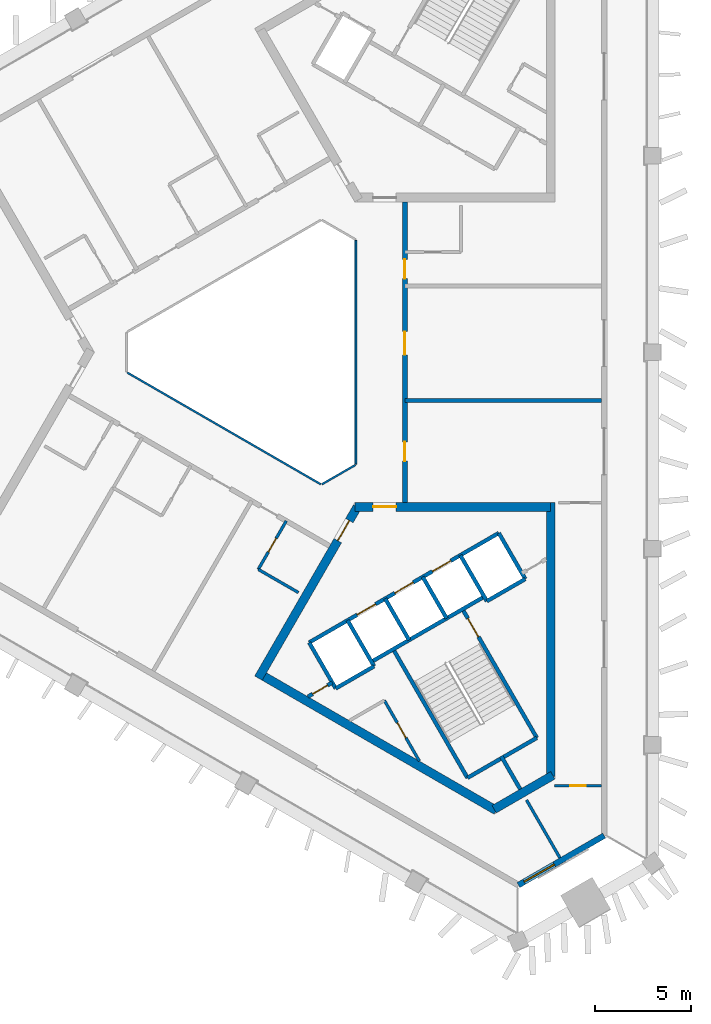
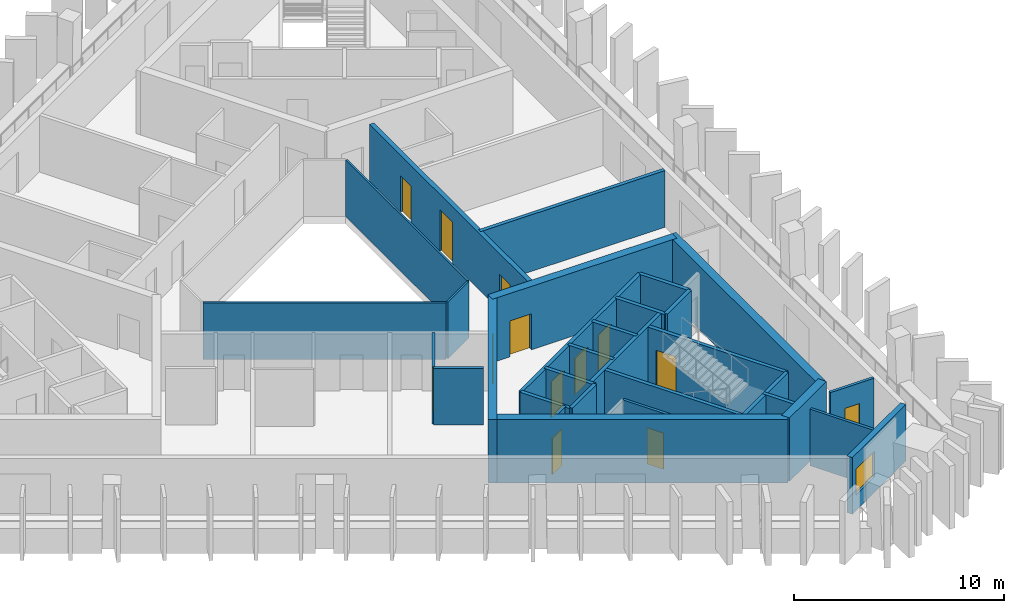
# One storey, part 3 of 9: 31 walls, 13 doors, 1 window, 14 openings.
"""IFC4 building model written with IfcOpenShell, lengths in metres."""

from ifc_helpers import new_model, si_unit, direction, frame, frame_2d, origin, place, context, subcontext, project, spatial, rectangle, extrude, material, layer, layer_set, type_object, element, fill, save


model = new_model("IFC4")

# Units and contexts
model_context = context("Model", 3, precision=1e-05, world=origin(), true_north=direction((0.0, 1.0)))
body_context = subcontext(model_context, "Body", "Model", "MODEL_VIEW")
ifc_project = project(units=[si_unit("LENGTHUNIT", "METRE"), si_unit("AREAUNIT", "SQUARE_METRE"), si_unit("VOLUMEUNIT", "CUBIC_METRE"), si_unit("PLANEANGLEUNIT", "RADIAN"), si_unit("MASSUNIT", "GRAM", prefix="KILO")], contexts=[model_context])

# Site, building, storey
site_placement = place(None, origin())
site = spatial("IfcSite", under=ifc_project, at=site_placement, CompositionType="ELEMENT")
building_placement = place(site_placement, origin())
building = spatial("IfcBuilding", under=site, at=building_placement, Name="Jabali Bay Hotel Tower and Convention Centre", CompositionType="ELEMENT")
storey_placement = place(building_placement, frame((0.0, 0.0, 231.699951171875)))
storey = spatial("IfcBuildingStorey", under=building, at=storey_placement, Name="L57", CompositionType="ELEMENT", Elevation=231.699951171875)

# Walls
ifc_material_1 = material(Name="Fire-resistant glazing", Category="glass")
ifc_layer_1 = layer(ifc_material_1, 0.10009765625)
ifc_layer_set_1 = layer_set([ifc_layer_1], Name="Fire-resistant glazing")
wall_type_1 = type_object("IfcWallType", Name="Atrium glazed screen 100", PredefinedType="PARTITIONING", material=ifc_layer_set_1)
for number, where, z_axis, x_axis, name in (
    (1, (79.56005859375, 74.205810546875, 0.0), (0.0, 0.0, 1.0), (0.0, 1.0, 0.0), "Atrium screen 1 L57"),
    (2, (67.7021484375, 78.947998046875, 0.0), (0.0, 0.0, 1.0), (0.866026658274, -0.499997827154, 0.0), "Atrium screen 5 L57"),
):
    element("IfcWall", number, at=place(storey_placement, frame(where, z_axis=z_axis, x_axis=x_axis)), inside=storey, type_object=wall_type_1, Name=name, PredefinedType="PARTITIONING", context=body_context, shape_type="SweptSolid", body=[
        extrude(rectangle(XDim=11.58837890625, YDim=0.10009765625, at=frame_2d((5.794189453125, 0.0))), origin(), (0.0, 0.0, 1.0), 3.300048828125),
    ])
wall_1_placement = place(storey_placement, frame((77.7978515625, 73.15380859375, 0.0), z_axis=(0.0, 0.0, 1.0), x_axis=(0.866041268327, 0.499972520799, 0.0)))
element("IfcWall", 3, at=wall_1_placement, inside=storey, type_object=wall_type_1, Name="Atrium screen 6 L57", PredefinedType="PARTITIONING", context=body_context, shape_type="SweptSolid", body=[
    extrude(rectangle(XDim=2.0, YDim=0.10009765625, at=frame_2d((1.0, 0.0))), origin(), (0.0, 0.0, 1.0), 3.300048828125),
])
ifc_material_2 = material(Name="Concrete C40", Category="concrete")
ifc_layer_2 = layer(ifc_material_2, 0.199951171875)
ifc_layer_set_2 = layer_set([ifc_layer_2], Name="Concrete C40")
wall_type_2 = type_object("IfcWallType", Name="Core partition wall 200", PredefinedType="PARTITIONING", material=ifc_layer_set_2)
wall_2_placement = place(storey_placement, frame((87.090087890625, 59.0595703125, 0.0), z_axis=(0.0, 0.0, 1.0), x_axis=(0.500011643316, -0.866018681408, 0.0)))
element("IfcWall", 4, at=wall_2_placement, inside=storey, type_object=wall_type_2, Name="Core wall 2.5 L57", PredefinedType="PARTITIONING", context=body_context, shape_type="SweptSolid", body=[
    extrude(rectangle(XDim=1.97314453125, YDim=0.199951171875, at=frame_2d((0.986572265625, 0.0))), origin(), (0.0, 0.0, 1.0), 3.300048828125),
])

# Wall, opening, door
wall_3_placement = place(storey_placement, frame((77.070068359375, 62.142578125, 0.0), z_axis=(0.0, 0.0, 1.0), x_axis=(0.866013036001, 0.500021421018, 0.0)))
wall_3 = element("IfcWall", 5, at=wall_3_placement, inside=storey, type_object=wall_type_2, Name="Core wall 2.11 L57", PredefinedType="PARTITIONING", context=body_context, shape_type="SweptSolid", body=[
    extrude(rectangle(XDim=1.4609375, YDim=0.199951171875, at=frame_2d((0.73046875, 0.0))), origin(), (0.0, 0.0, 1.0), 3.300048828125),
])
opening_1_placement = place(wall_3_placement, frame((0.280517578125, 0.0, 0.0)))
opening_1 = element("IfcOpeningElement", 6, at=opening_1_placement, cuts=wall_3, Name="Opening D1254", PredefinedType="OPENING", context=body_context, shape_type="SweptSolid", body=[
    extrude(rectangle(XDim=0.89990234375, YDim=2.10009765625, at=frame_2d((0.449951171875, 1.050048828125))), frame((0.0, 0.1103515625, 0.0), z_axis=(0.0, -1.0, 0.0), x_axis=(1.0, 0.0, 0.0)), (0.0, 0.0, 1.0), 0.220947265625),
])
ifc_material_3 = material(Name="Fire-rated steel door", Category="steel")
door_type_1 = type_object("IfcDoorType", Name="Vestibule fire door 900 x 2100", OperationType="NOTDEFINED", PredefinedType="NOTDEFINED", material=ifc_material_3)
door_1_placement = place(opening_1_placement, origin())
door_1 = element("IfcDoor", 7, at=door_1_placement, inside=storey, type_object=door_type_1, Name="Vestibule fire door D1254", OperationType="SINGLE_SWING_LEFT", OverallHeight=2.10009765625, OverallWidth=0.89990234375, PredefinedType="NOTDEFINED", context=body_context, shape_type="SweptSolid", body=[
    extrude(rectangle(XDim=0.89990234375, YDim=2.10009765625, at=frame_2d((0.449951171875, 1.050048828125))), frame((0.0, 0.02490234375, 0.0), z_axis=(0.0, -1.0, 0.0), x_axis=(1.0, 0.0, 0.0)), (0.0, 0.0, 1.0), 0.050048828125),
])
fill(opening_1, door_1)

ifc_material_4 = material(Name="Fire-rated board partition")
ifc_layer_3 = layer(ifc_material_4, 0.14990234375)
ifc_layer_set_3 = layer_set([ifc_layer_3], Name="Fire-rated board partition")
wall_type_3 = type_object("IfcWallType", Name="Core room partition 150", PredefinedType="PARTITIONING", material=ifc_layer_set_3)
wall_4_placement = place(storey_placement, frame((81.0341796875, 61.94873046875, 0.0), z_axis=(0.0, 0.0, 1.0), x_axis=(0.499945732631, -0.866056732798, 0.0)))
wall_4 = element("IfcWall", 8, at=wall_4_placement, inside=storey, type_object=wall_type_3, Name="Core wall 2.1 L57", PredefinedType="PARTITIONING", context=body_context, shape_type="SweptSolid", body=[
    extrude(rectangle(XDim=3.62841796875, YDim=0.14990234375, at=frame_2d((1.814208984375, 0.0))), origin(), (0.0, 0.0, 1.0), 3.300048828125),
])
opening_2_placement = place(wall_4_placement, frame((1.336669921875, 0.0, 0.0)))
opening_2 = element("IfcOpeningElement", 9, at=opening_2_placement, cuts=wall_4, Name="Opening D1256", PredefinedType="OPENING", context=body_context, shape_type="SweptSolid", body=[
    extrude(rectangle(XDim=0.89990234375, YDim=2.10009765625, at=frame_2d((0.449951171875, 1.050048828125))), frame((0.0, 0.08544921875, 0.0), z_axis=(0.0, -1.0, 0.0), x_axis=(1.0, 0.0, 0.0)), (0.0, 0.0, 1.0), 0.1708984375),
])
door_type_2 = type_object("IfcDoorType", Name="Core room door 900 x 2100", OperationType="NOTDEFINED", PredefinedType="NOTDEFINED", material=ifc_material_3)
door_2_placement = place(opening_2_placement, origin())
door_2 = element("IfcDoor", 10, at=door_2_placement, inside=storey, type_object=door_type_2, Name="Core room door D1256", OperationType="SINGLE_SWING_LEFT", OverallHeight=2.10009765625, OverallWidth=0.89990234375, PredefinedType="NOTDEFINED", context=body_context, shape_type="SweptSolid", body=[
    extrude(rectangle(XDim=0.89990234375, YDim=2.10009765625, at=frame_2d((0.449951171875, 1.050048828125))), frame((0.0, 0.02490234375, 0.0), z_axis=(0.0, -1.0, 0.0), x_axis=(1.0, 0.0, 0.0)), (0.0, 0.0, 1.0), 0.050048828125),
])
fill(opening_2, door_2)

# Walls
ifc_layer_4 = layer(ifc_material_2, 0.199951171875)
ifc_layer_set_4 = layer_set([ifc_layer_4], Name="Concrete C40")
wall_type_4 = type_object("IfcWallType", Name="Core stair wall 200", PredefinedType="SOLIDWALL", material=ifc_layer_set_4)
for number, where, z_axis, x_axis, name in (
    (11, (77.13525390625, 64.95166015625, 0.0), (0.0, 0.0, 1.0), (0.499996545922, -0.866027397988, 0.0), "Core wall 2.0 L57"),
    (12, (79.127197265625, 66.1015625, 0.0), (0.0, 0.0, 1.0), (0.499996545922, -0.866027397988, 0.0), "Core wall 2.2 L57"),
):
    element("IfcWall", number, at=place(storey_placement, frame(where, z_axis=z_axis, x_axis=x_axis)), inside=storey, type_object=wall_type_4, Name=name, PredefinedType="SOLIDWALL", context=body_context, shape_type="SweptSolid", body=[
        extrude(rectangle(XDim=2.75, YDim=0.199951171875, at=frame_2d((1.375, 0.0))), origin(), (0.0, 0.0, 1.0), 3.300048828125),
    ])
wall_5_placement = place(storey_placement, frame((81.492919921875, 64.603759765625, 0.0), z_axis=(0.0, 0.0, 1.0), x_axis=(0.500006057782, -0.866021906294, 0.0)))
element("IfcWall", 13, at=wall_5_placement, inside=storey, type_object=wall_type_4, Name="Core wall 2.3 L57", PredefinedType="SOLIDWALL", context=body_context, shape_type="SweptSolid", body=[
    extrude(rectangle(XDim=7.7001953125, YDim=0.199951171875, at=frame_2d((3.85009765625, 0.0))), origin(), (0.0, 0.0, 1.0), 3.300048828125),
])
for number, where, z_axis, x_axis, name in (
    (14, (81.07568359375, 67.2265625, 0.0), (0.0, 0.0, 1.0), (0.50000366821, -0.866023285932, 0.0), "Core wall 2.4 L57"),
    (15, (83.024169921875, 68.3515625, 0.0), (0.0, 0.0, 1.0), (0.50000366821, -0.866023285932, 0.0), "Core wall 2.6 L57"),
):
    element("IfcWall", number, at=place(storey_placement, frame(where, z_axis=z_axis, x_axis=x_axis)), inside=storey, type_object=wall_type_4, Name=name, PredefinedType="SOLIDWALL", context=body_context, shape_type="SweptSolid", body=[
        extrude(rectangle(XDim=2.47998046875, YDim=0.199951171875, at=frame_2d((1.239990234375, 0.0))), origin(), (0.0, 0.0, 1.0), 3.300048828125),
    ])

# Wall, opening, door
wall_6_placement = place(storey_placement, frame((85.0869140625, 66.6787109375, 0.0), z_axis=(0.0, 0.0, 1.0), x_axis=(0.500019787375, -0.866013979237, 0.0)))
wall_6 = element("IfcWall", 16, at=wall_6_placement, inside=storey, type_object=wall_type_4, Name="Core wall 2.7 L57", PredefinedType="SOLIDWALL", context=body_context, shape_type="SweptSolid", body=[
    extrude(rectangle(XDim=7.699951171875, YDim=0.199951171875, at=frame_2d((3.85009765625, 0.0))), origin(), (0.0, 0.0, 1.0), 3.300048828125),
])
opening_3_placement = place(wall_6_placement, frame((0.550048828125, 0.0, 0.0)))
opening_3 = element("IfcOpeningElement", 17, at=opening_3_placement, cuts=wall_6, Name="Opening D1255", PredefinedType="OPENING", context=body_context, shape_type="SweptSolid", body=[
    extrude(rectangle(XDim=1.10009765625, YDim=2.10009765625, at=frame_2d((0.550048828125, 1.050048828125))), frame((0.0, 0.1103515625, 0.0), z_axis=(0.0, -1.0, 0.0), x_axis=(1.0, 0.0, 0.0)), (0.0, 0.0, 1.0), 0.220947265625),
])
door_type_3 = type_object("IfcDoorType", Name="Stair fire door 1100 x 2100", OperationType="NOTDEFINED", PredefinedType="NOTDEFINED", material=ifc_material_3)
door_3_placement = place(opening_3_placement, origin())
door_3 = element("IfcDoor", 18, at=door_3_placement, inside=storey, type_object=door_type_3, Name="Stair fire door D1255", OperationType="SINGLE_SWING_RIGHT", OverallHeight=2.10009765625, OverallWidth=1.10009765625, PredefinedType="NOTDEFINED", context=body_context, shape_type="SweptSolid", body=[
    extrude(rectangle(XDim=1.10009765625, YDim=2.10009765625, at=frame_2d((0.550048828125, 1.050048828125))), frame((0.0, 0.02490234375, 0.0), z_axis=(0.0, -1.0, 0.0), x_axis=(1.0, 0.0, 0.0)), (0.0, 0.0, 1.0), 0.050048828125),
])
fill(opening_3, door_3)

# Walls
for number, where, z_axis, x_axis, name in (
    (19, (84.972900390625, 69.4765625, 0.0), (0.0, 0.0, 1.0), (0.499996545922, -0.866027397988, 0.0), "Core wall 2.8 L57"),
    (20, (86.964599609375, 70.62646484375, 0.0), (0.0, 0.0, 1.0), (0.499996545922, -0.866027397988, 0.0), "Core wall 2.9 L57"),
):
    element("IfcWall", number, at=place(storey_placement, frame(where, z_axis=z_axis, x_axis=x_axis)), inside=storey, type_object=wall_type_4, Name=name, PredefinedType="SOLIDWALL", context=body_context, shape_type="SweptSolid", body=[
        extrude(rectangle(XDim=2.75, YDim=0.199951171875, at=frame_2d((1.375, 0.0))), origin(), (0.0, 0.0, 1.0), 3.300048828125),
    ])

# Wall, openings, doors
wall_7_placement = place(storey_placement, frame((77.13525390625, 64.95166015625, 0.0), z_axis=(0.0, 0.0, 1.0), x_axis=(0.866031916153, 0.499988720078, 0.0)))
wall_7 = element("IfcWall", 21, at=wall_7_placement, inside=storey, type_object=wall_type_4, Name="Core wall 2.10 L57", PredefinedType="SOLIDWALL", context=body_context, shape_type="SweptSolid", body=[
    extrude(rectangle(XDim=11.349853515625, YDim=0.199951171875, at=frame_2d((5.6748046875, 0.0))), origin(), (0.0, 0.0, 1.0), 3.300048828125),
])
opening_4_placement = place(wall_7_placement, frame((2.875, 0.0, 0.0)))
opening_4 = element("IfcOpeningElement", 22, at=opening_4_placement, cuts=wall_7, Name="Opening LD12-L57", PredefinedType="OPENING", context=body_context, shape_type="SweptSolid", body=[
    extrude(rectangle(XDim=1.10009765625, YDim=2.10009765625, at=frame_2d((0.550048828125, 1.050048828125))), frame((0.0, 0.1103515625, 0.0), z_axis=(0.0, -1.0, 0.0), x_axis=(1.0, 0.0, 0.0)), (0.0, 0.0, 1.0), 0.220947265625),
])
opening_5_placement = place(wall_7_placement, frame((5.125, 0.0, 0.0)))
opening_5 = element("IfcOpeningElement", 23, at=opening_5_placement, cuts=wall_7, Name="Opening LD13-L57", PredefinedType="OPENING", context=body_context, shape_type="SweptSolid", body=[
    extrude(rectangle(XDim=1.10009765625, YDim=2.10009765625, at=frame_2d((0.550048828125, 1.050048828125))), frame((0.0, 0.1103515625, 0.0), z_axis=(0.0, -1.0, 0.0), x_axis=(1.0, 0.0, 0.0)), (0.0, 0.0, 1.0), 0.220947265625),
])
opening_6_placement = place(wall_7_placement, frame((7.375, 0.0, 0.0)))
opening_6 = element("IfcOpeningElement", 24, at=opening_6_placement, cuts=wall_7, Name="Opening LD14-L57", PredefinedType="OPENING", context=body_context, shape_type="SweptSolid", body=[
    extrude(rectangle(XDim=1.10009765625, YDim=2.10009765625, at=frame_2d((0.550048828125, 1.050048828125))), frame((0.0, 0.1103515625, 0.0), z_axis=(0.0, -1.0, 0.0), x_axis=(1.0, 0.0, 0.0)), (0.0, 0.0, 1.0), 0.220947265625),
])
ifc_material_5 = material(Name="Stainless steel landing door", Category="steel")
door_type_4 = type_object("IfcDoorType", Name="Landing door 1100 x 2100", OperationType="NOTDEFINED", PredefinedType="NOTDEFINED", material=ifc_material_5)
door_4_placement = place(opening_4_placement, origin())
door_4 = element("IfcDoor", 25, at=door_4_placement, inside=storey, type_object=door_type_4, Name="Landing doors LD12-L57", OperationType="SLIDING_TO_LEFT", OverallHeight=2.10009765625, OverallWidth=1.10009765625, PredefinedType="NOTDEFINED", context=body_context, shape_type="SweptSolid", body=[
    extrude(rectangle(XDim=1.10009765625, YDim=2.10009765625, at=frame_2d((0.550048828125, 1.050048828125))), frame((0.0, 0.02490234375, 0.0), z_axis=(0.0, -1.0, 0.0), x_axis=(1.0, 0.0, 0.0)), (0.0, 0.0, 1.0), 0.050048828125),
])
fill(opening_4, door_4)
door_5_placement = place(opening_5_placement, origin())
door_5 = element("IfcDoor", 26, at=door_5_placement, inside=storey, type_object=door_type_4, Name="Landing doors LD13-L57", OperationType="SLIDING_TO_RIGHT", OverallHeight=2.10009765625, OverallWidth=1.10009765625, PredefinedType="NOTDEFINED", context=body_context, shape_type="SweptSolid", body=[
    extrude(rectangle(XDim=1.10009765625, YDim=2.10009765625, at=frame_2d((0.550048828125, 1.050048828125))), frame((0.0, 0.02490234375, 0.0), z_axis=(0.0, -1.0, 0.0), x_axis=(1.0, 0.0, 0.0)), (0.0, 0.0, 1.0), 0.050048828125),
])
fill(opening_5, door_5)
door_6_placement = place(opening_6_placement, origin())
door_6 = element("IfcDoor", 27, at=door_6_placement, inside=storey, type_object=door_type_4, Name="Landing doors LD14-L57", OperationType="SLIDING_TO_LEFT", OverallHeight=2.10009765625, OverallWidth=1.10009765625, PredefinedType="NOTDEFINED", context=body_context, shape_type="SweptSolid", body=[
    extrude(rectangle(XDim=1.10009765625, YDim=2.10009765625, at=frame_2d((0.550048828125, 1.050048828125))), frame((0.0, 0.02490234375, 0.0), z_axis=(0.0, -1.0, 0.0), x_axis=(1.0, 0.0, 0.0)), (0.0, 0.0, 1.0), 0.050048828125),
])
fill(opening_6, door_6)

# Walls
wall_8_placement = place(storey_placement, frame((80.3671875, 63.953857421875, 0.0), z_axis=(0.0, 0.0, 1.0), x_axis=(0.866026575979, 0.499997969693, 0.0)))
element("IfcWall", 28, at=wall_8_placement, inside=storey, type_object=wall_type_4, Name="Core wall 2.13 L57", PredefinedType="SOLIDWALL", context=body_context, shape_type="SweptSolid", body=[
    extrude(rectangle(XDim=6.75, YDim=0.199951171875, at=frame_2d((3.375, 0.0))), origin(), (0.0, 0.0, 1.0), 3.300048828125),
])
wall_9_placement = place(storey_placement, frame((78.51025390625, 62.570068359375, 0.0), z_axis=(0.0, 0.0, 1.0), x_axis=(0.866053019151, 0.499952165731, 0.0)))
element("IfcWall", 29, at=wall_9_placement, inside=storey, type_object=wall_type_4, Name="Core wall 2.14 L57", PredefinedType="SOLIDWALL", context=body_context, shape_type="SweptSolid", body=[
    extrude(rectangle(XDim=2.300048828125, YDim=0.199951171875, at=frame_2d((1.14990234375, 0.0))), origin(), (0.0, 0.0, 1.0), 3.300048828125),
])
wall_10_placement = place(storey_placement, frame((86.347900390625, 67.094970703125, 0.0), z_axis=(0.0, 0.0, 1.0), x_axis=(0.86602648383, 0.499998129301, 0.0)))
element("IfcWall", 30, at=wall_10_placement, inside=storey, type_object=wall_type_4, Name="Core wall 2.15 L57", PredefinedType="SOLIDWALL", context=body_context, shape_type="SweptSolid", body=[
    extrude(rectangle(XDim=2.2998046875, YDim=0.199951171875, at=frame_2d((1.14990234375, 0.0))), origin(), (0.0, 0.0, 1.0), 3.300048828125),
])
wall_11_placement = place(storey_placement, frame((85.343017578125, 57.935302734375, 0.0), z_axis=(0.0, 0.0, 1.0), x_axis=(0.866004344652, 0.500036473714, 0.0)))
element("IfcWall", 31, at=wall_11_placement, inside=storey, type_object=wall_type_4, Name="Core wall 2.17 L57", PredefinedType="SOLIDWALL", context=body_context, shape_type="SweptSolid", body=[
    extrude(rectangle(XDim=4.150146484375, YDim=0.199951171875, at=frame_2d((2.0751953125, 0.0))), origin(), (0.0, 0.0, 1.0), 3.300048828125),
])

# Wall, opening, door
ifc_material_6 = material(Name="Concrete C60", Category="concrete")
ifc_layer_5 = layer(ifc_material_6, 0.449951171875)
ifc_layer_set_5 = layer_set([ifc_layer_5], Name="Concrete C60")
wall_type_5 = type_object("IfcWallType", Name="Core wall 450", PredefinedType="SHEAR", material=ifc_layer_set_5)
wall_12_placement = place(storey_placement, frame((79.6298828125, 71.980712890625, 0.0), z_axis=(0.0, 0.0, 1.0), x_axis=(-0.500002171595, -0.86602415001, 0.0)))
wall_12 = element("IfcWall", 32, at=wall_12_placement, inside=storey, type_object=wall_type_5, Name="Core wall 3.1 L57", PredefinedType="SHEAR", context=body_context, shape_type="SweptSolid", body=[
    extrude(rectangle(XDim=10.25, YDim=0.449951171875, at=frame_2d((5.125, 0.0))), origin(), (0.0, 0.0, 1.0), 3.699951171875),
])
opening_7_placement = place(wall_12_placement, frame((0.820068359375, 0.0, 0.0)))
opening_7 = element("IfcOpeningElement", 33, at=opening_7_placement, cuts=wall_12, Name="Opening D1251", PredefinedType="OPENING", context=body_context, shape_type="SweptSolid", body=[
    extrude(rectangle(XDim=1.199951171875, YDim=2.10009765625, at=frame_2d((0.60009765625, 1.050048828125))), frame((0.0, 0.2353515625, 0.0), z_axis=(0.0, -1.0, 0.0), x_axis=(1.0, 0.0, 0.0)), (0.0, 0.0, 1.0), 0.470947265625),
])
door_type_5 = type_object("IfcDoorType", Name="Corridor end fire door 1200 x 2100", OperationType="NOTDEFINED", PredefinedType="NOTDEFINED", material=ifc_material_3)
door_7_placement = place(opening_7_placement, origin())
door_7 = element("IfcDoor", 34, at=door_7_placement, inside=storey, type_object=door_type_5, Name="Corridor end fire door D1251", OperationType="SINGLE_SWING_RIGHT", OverallHeight=2.10009765625, OverallWidth=1.199951171875, PredefinedType="NOTDEFINED", context=body_context, shape_type="SweptSolid", body=[
    extrude(rectangle(XDim=1.199951171875, YDim=2.10009765625, at=frame_2d((0.60009765625, 1.050048828125))), frame((0.0, 0.02490234375, 0.0), z_axis=(0.0, -1.0, 0.0), x_axis=(1.0, 0.0, 0.0)), (0.0, 0.0, 1.0), 0.050048828125),
])
fill(opening_7, door_7)

# Walls
wall_13_placement = place(storey_placement, frame((74.617431640625, 63.298828125, 0.0), z_axis=(0.0, 0.0, 1.0), x_axis=(0.86602594008, -0.499999071108, 0.0)))
element("IfcWall", 35, at=wall_13_placement, inside=storey, type_object=wall_type_5, Name="Core wall 3.2 L57", PredefinedType="SHEAR", context=body_context, shape_type="SweptSolid", body=[
    extrude(rectangle(XDim=14.1083984375, YDim=0.449951171875, at=frame_2d((7.05419921875, 0.0))), origin(), (0.0, 0.0, 1.0), 3.699951171875),
])
wall_14_placement = place(storey_placement, frame((86.72314453125, 56.3095703125, 0.0), z_axis=(0.0, 0.0, 1.0), x_axis=(0.866042179588, 0.49997094233, 0.0)))
element("IfcWall", 36, at=wall_14_placement, inside=storey, type_object=wall_type_5, Name="Core wall 3.3 L57", PredefinedType="SHEAR", context=body_context, shape_type="SweptSolid", body=[
    extrude(rectangle(XDim=3.515380859375, YDim=0.449951171875, at=frame_2d((1.7578125, 0.0))), origin(), (0.0, 0.0, 1.0), 3.699951171875),
])
wall_15_placement = place(storey_placement, frame((89.655029296875, 58.002197265625, 0.0), z_axis=(0.0, 0.0, 1.0), x_axis=(0.0, 1.0, 0.0)))
element("IfcWall", 37, at=wall_15_placement, inside=storey, type_object=wall_type_5, Name="Core wall 3.4 L57", PredefinedType="SHEAR", context=body_context, shape_type="SweptSolid", body=[
    extrude(rectangle(XDim=14.20361328125, YDim=0.449951171875, at=frame_2d((7.101806640625, 0.0))), origin(), (0.0, 0.0, 1.0), 3.699951171875),
])

# Wall, opening, door
wall_16_placement = place(storey_placement, frame((89.655029296875, 71.980712890625, 0.0), z_axis=(0.0, 0.0, 1.0), x_axis=(-1.0, 0.0, 0.0)))
wall_16 = element("IfcWall", 38, at=wall_16_placement, inside=storey, type_object=wall_type_5, Name="Core wall 3.5 L57", PredefinedType="SHEAR", context=body_context, shape_type="SweptSolid", body=[
    extrude(rectangle(XDim=10.155029296875, YDim=0.449951171875, at=frame_2d((5.07763671875, 0.0))), origin(), (0.0, 0.0, 1.0), 3.699951171875),
])
opening_8_placement = place(wall_16_placement, frame((8.0048828125, 0.0, 0.0)))
opening_8 = element("IfcOpeningElement", 39, at=opening_8_placement, cuts=wall_16, Name="Opening D1252", PredefinedType="OPENING", context=body_context, shape_type="SweptSolid", body=[
    extrude(rectangle(XDim=1.199951171875, YDim=2.10009765625, at=frame_2d((0.60009765625, 1.050048828125))), frame((0.0, 0.2353515625, 0.0), z_axis=(0.0, -1.0, 0.0), x_axis=(1.0, 0.0, 0.0)), (0.0, 0.0, 1.0), 0.470947265625),
])
door_8_placement = place(opening_8_placement, origin())
door_8 = element("IfcDoor", 40, at=door_8_placement, inside=storey, type_object=door_type_5, Name="Corridor end fire door D1252", OperationType="SINGLE_SWING_LEFT", OverallHeight=2.10009765625, OverallWidth=1.199951171875, PredefinedType="NOTDEFINED", context=body_context, shape_type="SweptSolid", body=[
    extrude(rectangle(XDim=1.199951171875, YDim=2.10009765625, at=frame_2d((0.60009765625, 1.050048828125))), frame((0.0, 0.02490234375, 0.0), z_axis=(0.0, -1.0, 0.0), x_axis=(1.0, 0.0, 0.0)), (0.0, 0.0, 1.0), 0.050048828125),
])
fill(opening_8, door_8)

# Wall, openings, doors
ifc_layer_6 = layer(ifc_material_6, 0.25)
ifc_layer_set_6 = layer_set([ifc_layer_6], Name="Concrete C60")
wall_type_6 = type_object("IfcWallType", Name="Corridor wall 250", PredefinedType="SHEAR", material=ifc_layer_set_6)
wall_17_placement = place(storey_placement, frame((82.10009765625, 72.205810546875, 0.0), z_axis=(0.0, 0.0, 1.0), x_axis=(0.0, 1.0, 0.0)))
wall_17 = element("IfcWall", 41, at=wall_17_placement, inside=storey, type_object=wall_type_6, Name="Corridor wall 1 L57", PredefinedType="SHEAR", context=body_context, shape_type="SweptSolid", body=[
    extrude(rectangle(XDim=15.58837890625, YDim=0.25, at=frame_2d((7.794189453125, 0.0))), origin(), (0.0, 0.0, 1.0), 3.300048828125),
])
opening_9_placement = place(wall_17_placement, frame((2.14990234375, 0.0, 0.0)))
opening_9 = element("IfcOpeningElement", 42, at=opening_9_placement, cuts=wall_17, Name="Opening 5701", PredefinedType="OPENING", context=body_context, shape_type="SweptSolid", body=[
    extrude(rectangle(XDim=1.0, YDim=2.10009765625, at=frame_2d((0.5, 1.050048828125))), frame((0.0, 0.135498046875, 0.0), z_axis=(0.0, -1.0, 0.0), x_axis=(1.0, 0.0, 0.0)), (0.0, 0.0, 1.0), 0.27099609375),
])
opening_10_placement = place(wall_17_placement, frame((7.661865234375, 0.0, 0.0)))
opening_10 = element("IfcOpeningElement", 43, at=opening_10_placement, cuts=wall_17, Name="Opening 5704", PredefinedType="OPENING", context=body_context, shape_type="SweptSolid", body=[
    extrude(rectangle(XDim=1.199951171875, YDim=2.39990234375, at=frame_2d((0.60009765625, 1.199951171875))), frame((0.0, 0.135498046875, 0.0), z_axis=(0.0, -1.0, 0.0), x_axis=(1.0, 0.0, 0.0)), (0.0, 0.0, 1.0), 0.27099609375),
])
opening_11_placement = place(wall_17_placement, frame((11.606201171875, 0.0, 0.0)))
opening_11 = element("IfcOpeningElement", 44, at=opening_11_placement, cuts=wall_17, Name="Opening 5706", PredefinedType="OPENING", context=body_context, shape_type="SweptSolid", body=[
    extrude(rectangle(XDim=1.0, YDim=2.10009765625, at=frame_2d((0.5, 1.050048828125))), frame((0.0, 0.135498046875, 0.0), z_axis=(0.0, -1.0, 0.0), x_axis=(1.0, 0.0, 0.0)), (0.0, 0.0, 1.0), 0.27099609375),
])
ifc_material_7 = material(Name="Timber", Category="wood")
door_type_6 = type_object("IfcDoorType", Name="Guest room door 1000 x 2100", OperationType="NOTDEFINED", PredefinedType="NOTDEFINED", material=ifc_material_7)
door_9_placement = place(opening_9_placement, origin())
door_9 = element("IfcDoor", 45, at=door_9_placement, inside=storey, type_object=door_type_6, Name="Door 5701", OperationType="SINGLE_SWING_LEFT", OverallHeight=2.10009765625, OverallWidth=1.0, PredefinedType="NOTDEFINED", context=body_context, shape_type="SweptSolid", body=[
    extrude(rectangle(XDim=1.0, YDim=2.10009765625, at=frame_2d((0.5, 1.050048828125))), frame((0.0, 0.02490234375, 0.0), z_axis=(0.0, -1.0, 0.0), x_axis=(1.0, 0.0, 0.0)), (0.0, 0.0, 1.0), 0.050048828125),
])
fill(opening_9, door_9)
door_10_placement = place(opening_11_placement, origin())
door_10 = element("IfcDoor", 46, at=door_10_placement, inside=storey, type_object=door_type_6, Name="Door 5706", OperationType="SINGLE_SWING_RIGHT", OverallHeight=2.10009765625, OverallWidth=1.0, PredefinedType="NOTDEFINED", context=body_context, shape_type="SweptSolid", body=[
    extrude(rectangle(XDim=1.0, YDim=2.10009765625, at=frame_2d((0.5, 1.050048828125))), frame((0.0, 0.02490234375, 0.0), z_axis=(0.0, -1.0, 0.0), x_axis=(1.0, 0.0, 0.0)), (0.0, 0.0, 1.0), 0.050048828125),
])
fill(opening_11, door_10)
door_type_7 = type_object("IfcDoorType", Name="Public room door 1200 x 2400", OperationType="NOTDEFINED", PredefinedType="NOTDEFINED", material=ifc_material_7)
door_11_placement = place(opening_10_placement, origin())
door_11 = element("IfcDoor", 47, at=door_11_placement, inside=storey, type_object=door_type_7, Name="Door 5704", OperationType="SINGLE_SWING_RIGHT", OverallHeight=2.39990234375, OverallWidth=1.199951171875, PredefinedType="NOTDEFINED", context=body_context, shape_type="SweptSolid", body=[
    extrude(rectangle(XDim=1.199951171875, YDim=2.39990234375, at=frame_2d((0.60009765625, 1.199951171875))), frame((0.0, 0.02490234375, 0.0), z_axis=(0.0, -1.0, 0.0), x_axis=(1.0, 0.0, 0.0)), (0.0, 0.0, 1.0), 0.050048828125),
])
fill(opening_10, door_11)

# Wall, opening, window
ifc_layer_7 = layer(ifc_material_2, 0.300048828125)
ifc_layer_set_7 = layer_set([ifc_layer_7], Name="Concrete C40")
wall_type_7 = type_object("IfcWallType", Name="External wall 300", PredefinedType="SOLIDWALL", material=ifc_layer_set_7)
wall_18_placement = place(storey_placement, frame((92.427978515625, 54.941162109375, 0.0), z_axis=(0.0, 0.0, 1.0), x_axis=(-0.866010338203, -0.500026093444, 0.0)))
wall_18 = element("IfcWall", 48, at=wall_18_placement, inside=storey, type_object=wall_type_7, Name="External wall south-east chamfer L57", PredefinedType="SOLIDWALL", context=body_context, shape_type="SweptSolid", body=[
    extrude(rectangle(XDim=5.127197265625, YDim=0.300048828125, at=frame_2d((2.5634765625, 0.0))), origin(), (0.0, 0.0, 1.0), 3.300048828125),
])
opening_12_placement = place(wall_18_placement, frame((2.988037109375, 0.0, 0.89990234375)))
opening_12 = element("IfcOpeningElement", 49, at=opening_12_placement, cuts=wall_18, Name="Opening W1", PredefinedType="OPENING", context=body_context, shape_type="SweptSolid", body=[
    extrude(rectangle(XDim=1.800048828125, YDim=1.5, at=frame_2d((0.89990234375, 0.75))), frame((0.0, 0.16064453125, 0.0), z_axis=(0.0, -1.0, 0.0), x_axis=(1.0, 0.0, 0.0)), (0.0, 0.0, 1.0), 0.321044921875),
])
ifc_material_8 = material(Name="Glass", Category="glass")
window_type = type_object("IfcWindowType", Name="Window 1800 x 1500", PartitioningType="SINGLE_PANEL", PredefinedType="WINDOW", material=ifc_material_8)
window_placement = place(opening_12_placement, origin())
window = element("IfcWindow", 50, at=window_placement, inside=storey, type_object=window_type, Name="Window 5708", OverallHeight=1.5, OverallWidth=1.800048828125, PartitioningType="SINGLE_PANEL", PredefinedType="WINDOW", context=body_context, shape_type="SweptSolid", body=[
    extrude(rectangle(XDim=1.800048828125, YDim=1.5, at=frame_2d((0.89990234375, 0.75))), frame((0.0, 0.030029296875, 0.0), z_axis=(0.0, -1.0, 0.0), x_axis=(1.0, 0.0, 0.0)), (0.0, 0.0, 1.0), 0.06005859375),
])
fill(opening_12, window)

# Wall, opening, door
ifc_material_9 = material(Name="Plasterboard on steel stud", Category="steel")
ifc_layer_8 = layer(ifc_material_9, 0.14990234375)
ifc_layer_set_8 = layer_set([ifc_layer_8], Name="Plasterboard on steel stud")
wall_type_8 = type_object("IfcWallType", Name="Partition 150 wet", PredefinedType="PARTITIONING", material=ifc_layer_set_8)
wall_19_placement = place(storey_placement, frame((89.861083984375, 57.529296875, 0.0), z_axis=(0.0, 0.0, 1.0), x_axis=(1.0, 0.0, 0.0)))
wall_19 = element("IfcWall", 51, at=wall_19_placement, inside=storey, type_object=wall_type_8, Name="Partition P03 L57 003", PredefinedType="PARTITIONING", context=body_context, shape_type="SweptSolid", body=[
    extrude(rectangle(XDim=2.417724609375, YDim=0.14990234375, at=frame_2d((1.208984375, 0.0))), origin(), (0.0, 0.0, 1.0), 3.300048828125),
])
opening_13_placement = place(wall_19_placement, frame((0.80908203125, 0.0, 0.0)))
opening_13 = element("IfcOpeningElement", 52, at=opening_13_placement, cuts=wall_19, Name="Opening 5703", PredefinedType="OPENING", context=body_context, shape_type="SweptSolid", body=[
    extrude(rectangle(XDim=0.800048828125, YDim=2.10009765625, at=frame_2d((0.39990234375, 1.050048828125))), frame((0.0, 0.08544921875, 0.0), z_axis=(0.0, -1.0, 0.0), x_axis=(1.0, 0.0, 0.0)), (0.0, 0.0, 1.0), 0.1708984375),
])
door_type_8 = type_object("IfcDoorType", Name="En-suite door 800 x 2100", OperationType="NOTDEFINED", PredefinedType="NOTDEFINED", material=ifc_material_7)
door_12_placement = place(opening_13_placement, origin())
door_12 = element("IfcDoor", 53, at=door_12_placement, inside=storey, type_object=door_type_8, Name="Door 5703", OperationType="SINGLE_SWING_LEFT", OverallHeight=2.10009765625, OverallWidth=0.800048828125, PredefinedType="NOTDEFINED", context=body_context, shape_type="SweptSolid", body=[
    extrude(rectangle(XDim=0.800048828125, YDim=2.10009765625, at=frame_2d((0.39990234375, 1.050048828125))), frame((0.0, 0.02490234375, 0.0), z_axis=(0.0, -1.0, 0.0), x_axis=(1.0, 0.0, 0.0)), (0.0, 0.0, 1.0), 0.050048828125),
])
fill(opening_13, door_12)

# Walls
wall_20_placement = place(storey_placement, frame((88.40185546875, 56.789306640625, 0.0), z_axis=(0.0, 0.0, 1.0), x_axis=(0.500019299785, -0.866014260761, 0.0)))
element("IfcWall", 54, at=wall_20_placement, inside=storey, type_object=wall_type_8, Name="Partition P03 L57 004", PredefinedType="PARTITIONING", context=body_context, shape_type="SweptSolid", body=[
    extrude(rectangle(XDim=3.464599609375, YDim=0.14990234375, at=frame_2d((1.732421875, 0.0))), origin(), (0.0, 0.0, 1.0), 3.300048828125),
])
wall_21_placement = place(storey_placement, frame((76.57763671875, 67.542236328125, 0.0), z_axis=(0.0, 0.0, 1.0), x_axis=(-0.866038271014, 0.499977712642, 0.0)))
element("IfcWall", 55, at=wall_21_placement, inside=storey, type_object=wall_type_8, Name="Partition P03 L57 026", PredefinedType="PARTITIONING", context=body_context, shape_type="SweptSolid", body=[
    extrude(rectangle(XDim=2.40087890625, YDim=0.14990234375, at=frame_2d((1.200439453125, 0.0))), origin(), (0.0, 0.0, 1.0), 3.300048828125),
])

# Wall, opening, door
wall_22_placement = place(storey_placement, frame((74.498291015625, 68.74267578125, 0.0), z_axis=(0.0, 0.0, 1.0), x_axis=(0.499987231761, 0.866032775405, 0.0)))
wall_22 = element("IfcWall", 56, at=wall_22_placement, inside=storey, type_object=wall_type_8, Name="Partition P03 L57 027", PredefinedType="PARTITIONING", context=body_context, shape_type="SweptSolid", body=[
    extrude(rectangle(XDim=2.89990234375, YDim=0.14990234375, at=frame_2d((1.449951171875, 0.0))), origin(), (0.0, 0.0, 1.0), 3.300048828125),
])
opening_14_placement = place(wall_22_placement, frame((1.050048828125, 0.0, 0.0)))
opening_14 = element("IfcOpeningElement", 57, at=opening_14_placement, cuts=wall_22, Name="Opening 5717", PredefinedType="OPENING", context=body_context, shape_type="SweptSolid", body=[
    extrude(rectangle(XDim=0.800048828125, YDim=2.10009765625, at=frame_2d((0.39990234375, 1.050048828125))), frame((0.0, 0.08544921875, 0.0), z_axis=(0.0, -1.0, 0.0), x_axis=(1.0, 0.0, 0.0)), (0.0, 0.0, 1.0), 0.1708984375),
])
door_13_placement = place(opening_14_placement, origin())
door_13 = element("IfcDoor", 58, at=door_13_placement, inside=storey, type_object=door_type_8, Name="Door 5717", OperationType="SINGLE_SWING_RIGHT", OverallHeight=2.10009765625, OverallWidth=0.800048828125, PredefinedType="NOTDEFINED", context=body_context, shape_type="SweptSolid", body=[
    extrude(rectangle(XDim=0.800048828125, YDim=2.10009765625, at=frame_2d((0.39990234375, 1.050048828125))), frame((0.0, 0.02490234375, 0.0), z_axis=(0.0, -1.0, 0.0), x_axis=(1.0, 0.0, 0.0)), (0.0, 0.0, 1.0), 0.050048828125),
])
fill(opening_14, door_13)

# Wall
ifc_layer_9 = layer(ifc_material_9, 0.199951171875)
ifc_layer_set_9 = layer_set([ifc_layer_9], Name="Plasterboard on steel stud")
wall_type_9 = type_object("IfcWallType", Name="Partition 200 party", PredefinedType="PARTITIONING", material=ifc_layer_set_9)
wall_23_placement = place(storey_placement, frame((92.27880859375, 77.505859375, 0.0), z_axis=(0.0, 0.0, 1.0), x_axis=(-1.0, 0.0, 0.0)))
element("IfcWall", 59, at=wall_23_placement, inside=storey, type_object=wall_type_9, Name="Partition P01 L57 002", PredefinedType="PARTITIONING", context=body_context, shape_type="SweptSolid", body=[
    extrude(rectangle(XDim=10.1787109375, YDim=0.199951171875, at=frame_2d((5.08935546875, 0.0))), origin(), (0.0, 0.0, 1.0), 3.300048828125),
])

save(model, "model.ifc")
